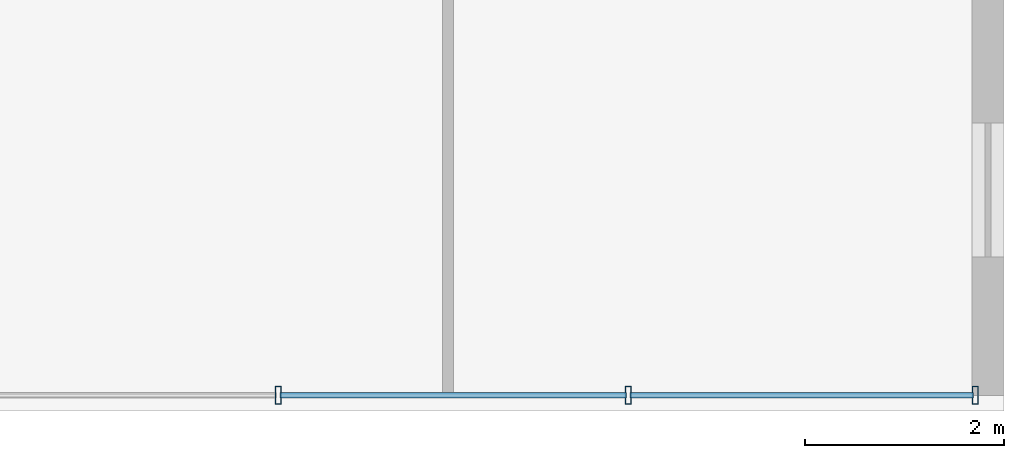
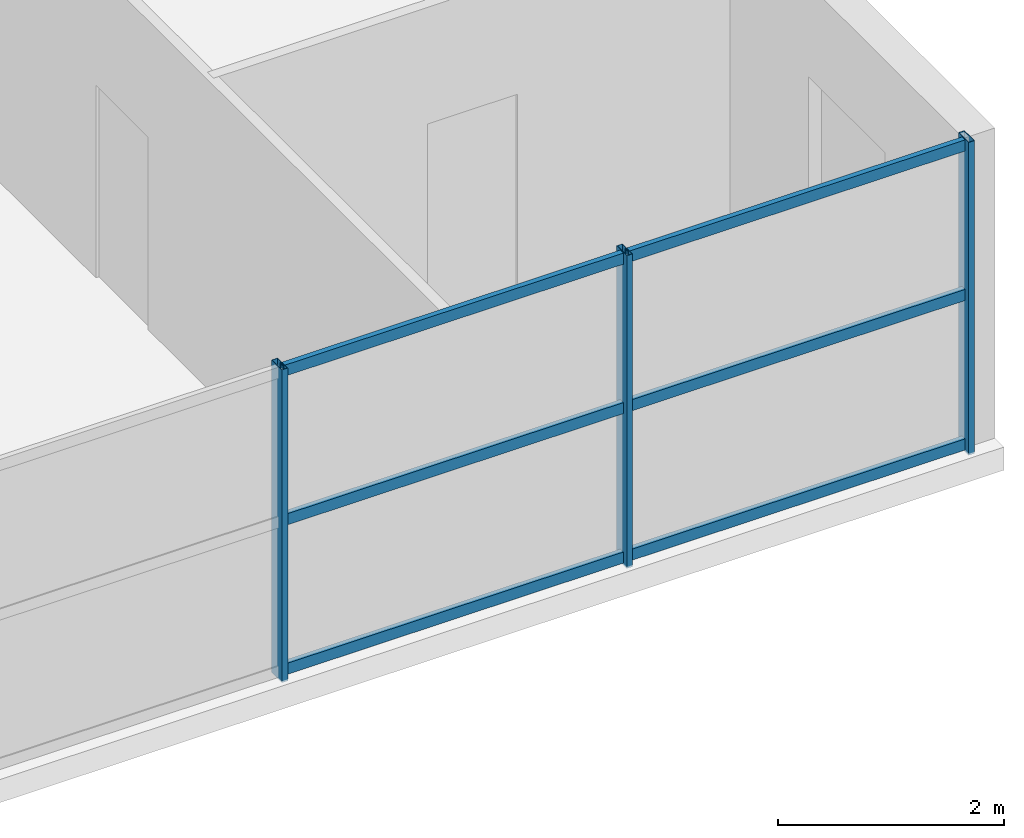
# One storey, part 4 of 12: 9 members, 1 element without a shape of its own.
"""IFC4 building model written with IfcOpenShell, lengths in metres."""

from ifc_helpers import new_model, si_unit, direction, frame, origin, origin_2d, place, context, subcontext, project, spatial, hollow_rectangle, extrude, source, transform, mapped, material, material_profile, profile_set, type_object, element, aggregate, save


model = new_model("IFC4")

# Units and contexts
model_context = context("Model", 3, precision=1e-05, world=origin(), true_north=direction((0.0, 1.0)))
body_context = subcontext(model_context, "Body", "Model", "MODEL_VIEW")
ifc_project = project(units=[si_unit("LENGTHUNIT", "METRE"), si_unit("AREAUNIT", "SQUARE_METRE"), si_unit("VOLUMEUNIT", "CUBIC_METRE"), si_unit("PLANEANGLEUNIT", "RADIAN"), si_unit("MASSUNIT", "GRAM", prefix="KILO")], contexts=[model_context])

# Site, building, storey
site_placement = place(None, origin())
site = spatial("IfcSite", under=ifc_project, at=site_placement, CompositionType="ELEMENT")
building_placement = place(site_placement, origin())
building = spatial("IfcBuilding", under=site, at=building_placement, Name="Tlacorven Tower", CompositionType="ELEMENT")
storey_placement = place(building_placement, frame((0.0, 0.0, 280.800048828125)))
storey = spatial("IfcBuildingStorey", under=building, at=storey_placement, Name="L71", CompositionType="ELEMENT", Elevation=280.800048828125)

# Curtain wall, members
ifc_material_1 = material(Name="Dark solar low-E double glazing in aluminium frame", Category="aluminium")
curtain_wall_type = type_object("IfcCurtainWallType", Name="CW-TWR-HIGH", PredefinedType="USERDEFINED", material=ifc_material_1)
curtain_wall_placement = place(storey_placement, origin())
curtain_wall = element("IfcCurtainWall", 1, at=curtain_wall_placement, inside=storey, type_object=curtain_wall_type, Name="L71 CW-TWR-HIGH Curtain Wall 329", ObjectType="UNITISED CURTAIN WALL", PredefinedType="USERDEFINED")
ifc_material_2 = material(Name="Aluminium 6063-T6 anodised", Category="aluminium")
ifc_material_profile_1 = material_profile(ifc_material_2, hollow_rectangle(XDim=0.06005859375, YDim=0.179931640625, WallThickness=0.00390625, at=origin_2d()), Name="ALU MULLION 60X180")
ifc_profile_set_1 = profile_set([ifc_material_profile_1], Name="Aluminium 6063-T6 anodised")
member_type_1 = type_object("IfcMemberType", Name="CWM-03", PredefinedType="MULLION", material=ifc_profile_set_1)
shared_shape_1 = source(origin(), body_context, "Body", "SweptSolid", [
    extrude(hollow_rectangle(XDim=0.06005859375, YDim=0.179931640625, WallThickness=0.00390625, at=origin_2d()), origin(), (0.0, 0.0, 1.0), 3.3798828125),
])
member_1_placement = place(storey_placement, frame((43.909912109375, 1.9599609375, -0.02001953125), z_axis=(0.0, 0.0, 1.0), x_axis=(-1.0, 0.0, 0.0)))
member_1 = element("IfcMember", 2, at=member_1_placement, type_object=member_type_1, Name="CW-L71-329 Mullion 1", PredefinedType="MULLION", context=body_context, shape_type="MappedRepresentation", body=[
    mapped(shared_shape_1, transform((0.0, 0.0, 0.0), scale=1.0)),
])
member_2_placement = place(storey_placement, frame((40.41552734375, 1.9599609375, -0.02001953125), z_axis=(0.0, 0.0, 1.0), x_axis=(-1.0, 0.0, 0.0)))
member_2 = element("IfcMember", 3, at=member_2_placement, type_object=member_type_1, Name="CW-L71-329 Mullion 2", PredefinedType="MULLION", context=body_context, shape_type="MappedRepresentation", body=[
    mapped(shared_shape_1, transform((0.0, 0.0, 0.0), scale=1.0)),
])
member_3_placement = place(storey_placement, frame((36.890869140625, 1.9599609375, -0.02001953125), z_axis=(0.0, 0.0, 1.0), x_axis=(-1.0, 0.0, 0.0)))
member_3 = element("IfcMember", 4, at=member_3_placement, type_object=member_type_1, Name="CW-L71-329 Mullion 3", PredefinedType="MULLION", context=body_context, shape_type="MappedRepresentation", body=[
    mapped(shared_shape_1, transform((0.0, 0.0, 0.0), scale=1.0)),
])
ifc_material_profile_2 = material_profile(ifc_material_2, hollow_rectangle(XDim=0.054931640625, YDim=0.1201171875, WallThickness=0.00341796875, at=origin_2d()), Name="ALU TRANSOM 55X120")
ifc_profile_set_2 = profile_set([ifc_material_profile_2], Name="Aluminium 6063-T6 anodised")
member_type_2 = type_object("IfcMemberType", Name="CWT-03", PredefinedType="USERDEFINED", material=ifc_profile_set_2)
shared_shape_2 = source(origin(), body_context, "Body", "SweptSolid", [
    extrude(hollow_rectangle(XDim=0.054931640625, YDim=0.1201171875, WallThickness=0.00341796875, at=origin_2d()), origin(), (0.0, 0.0, 1.0), 3.458740234375),
])
member_4_placement = place(storey_placement, frame((43.89208984375, 1.9599609375, 0.06005859375), z_axis=(-1.0, 0.0, 0.0), x_axis=(0.0, -1.0, 0.0)))
member_4 = element("IfcMember", 5, at=member_4_placement, type_object=member_type_2, Name="CW-L71-329 Transom 1", ObjectType="TRANSOM", PredefinedType="USERDEFINED", context=body_context, shape_type="MappedRepresentation", body=[
    mapped(shared_shape_2, transform((0.0, 0.0, 0.0), scale=1.0)),
])
member_5_placement = place(storey_placement, frame((43.89208984375, 1.9599609375, 1.675048828125), z_axis=(-1.0, 0.0, 0.0), x_axis=(0.0, -1.0, 0.0)))
member_5 = element("IfcMember", 6, at=member_5_placement, type_object=member_type_2, Name="CW-L71-329 Transom 2", ObjectType="TRANSOM", PredefinedType="USERDEFINED", context=body_context, shape_type="MappedRepresentation", body=[
    mapped(shared_shape_2, transform((0.0, 0.0, 0.0), scale=1.0)),
])
member_6_placement = place(storey_placement, frame((43.89208984375, 1.9599609375, 3.2900390625), z_axis=(-1.0, 0.0, 0.0), x_axis=(0.0, -1.0, 0.0)))
member_6 = element("IfcMember", 7, at=member_6_placement, type_object=member_type_2, Name="CW-L71-329 Transom 3", ObjectType="TRANSOM", PredefinedType="USERDEFINED", context=body_context, shape_type="MappedRepresentation", body=[
    mapped(shared_shape_2, transform((0.0, 0.0, 0.0), scale=1.0)),
])
shared_shape_3 = source(origin(), body_context, "Body", "SweptSolid", [
    extrude(hollow_rectangle(XDim=0.054931640625, YDim=0.1201171875, WallThickness=0.00341796875, at=origin_2d()), origin(), (0.0, 0.0, 1.0), 3.488525390625),
])
member_7_placement = place(storey_placement, frame((40.3974609375, 1.9599609375, 0.06005859375), z_axis=(-1.0, 0.0, 0.0), x_axis=(0.0, -1.0, 0.0)))
member_7 = element("IfcMember", 8, at=member_7_placement, type_object=member_type_2, Name="CW-L71-329 Transom 4", ObjectType="TRANSOM", PredefinedType="USERDEFINED", context=body_context, shape_type="MappedRepresentation", body=[
    mapped(shared_shape_3, transform((0.0, 0.0, 0.0), scale=1.0)),
])
member_8_placement = place(storey_placement, frame((40.3974609375, 1.9599609375, 1.675048828125), z_axis=(-1.0, 0.0, 0.0), x_axis=(0.0, -1.0, 0.0)))
member_8 = element("IfcMember", 9, at=member_8_placement, type_object=member_type_2, Name="CW-L71-329 Transom 5", ObjectType="TRANSOM", PredefinedType="USERDEFINED", context=body_context, shape_type="MappedRepresentation", body=[
    mapped(shared_shape_3, transform((0.0, 0.0, 0.0), scale=1.0)),
])
member_9_placement = place(storey_placement, frame((40.3974609375, 1.9599609375, 3.2900390625), z_axis=(-1.0, 0.0, 0.0), x_axis=(0.0, -1.0, 0.0)))
member_9 = element("IfcMember", 10, at=member_9_placement, type_object=member_type_2, Name="CW-L71-329 Transom 6", ObjectType="TRANSOM", PredefinedType="USERDEFINED", context=body_context, shape_type="MappedRepresentation", body=[
    mapped(shared_shape_3, transform((0.0, 0.0, 0.0), scale=1.0)),
])
aggregate(curtain_wall, [member_1, member_2, member_3, member_4, member_5, member_6, member_7, member_8, member_9])

save(model, "model.ifc")
